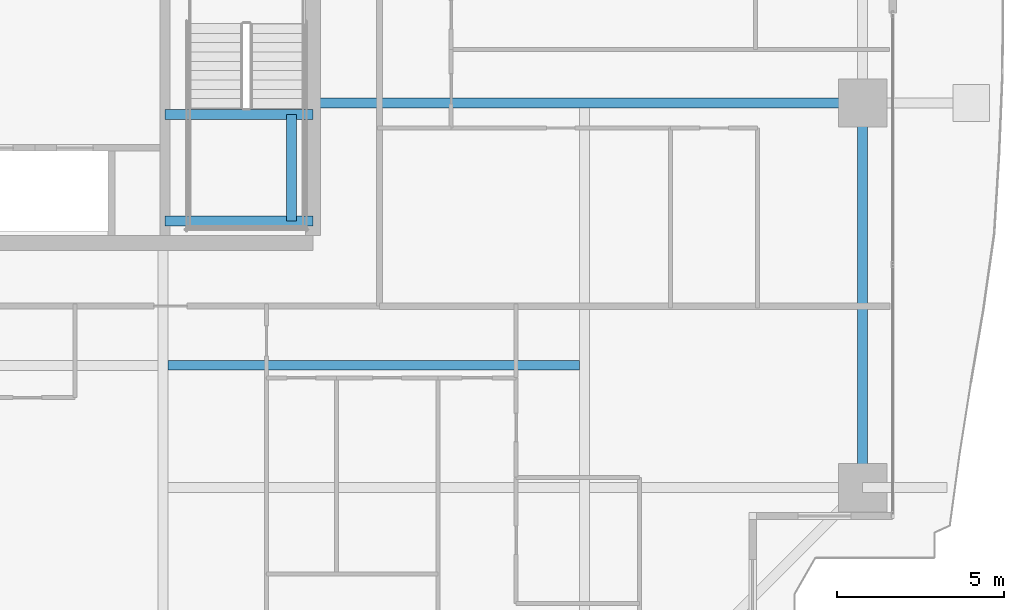
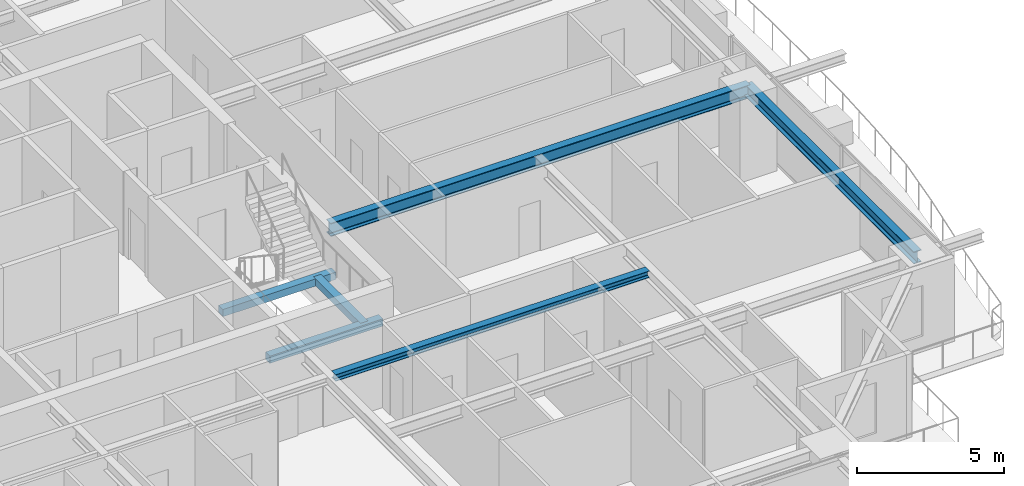
# One storey, part 14 of 39: 6 beams.
"""IFC4 building model written with IfcOpenShell, lengths in metres."""

from ifc_helpers import new_model, si_unit, direction, frame, origin, origin_2d, place, context, subcontext, project, spatial, rectangle, i_section, extrude, source, transform, mapped, material, material_profile, profile_set, type_object, element, save


model = new_model("IFC4")

# Units and contexts
model_context = context("Model", 3, precision=1e-05, world=origin(), true_north=direction((0.0, 1.0)))
body_context = subcontext(model_context, "Body", "Model", "MODEL_VIEW")
ifc_project = project(units=[si_unit("LENGTHUNIT", "METRE"), si_unit("AREAUNIT", "SQUARE_METRE"), si_unit("VOLUMEUNIT", "CUBIC_METRE"), si_unit("PLANEANGLEUNIT", "RADIAN"), si_unit("MASSUNIT", "GRAM", prefix="KILO")], contexts=[model_context])

# Site, building, storey
site_placement = place(None, origin())
site = spatial("IfcSite", under=ifc_project, at=site_placement, CompositionType="ELEMENT")
building_placement = place(site_placement, origin())
building = spatial("IfcBuilding", under=site, at=building_placement, Name="Serunith Strait Residences", CompositionType="ELEMENT")
storey_placement = place(building_placement, frame((0.0, 0.0, 49.199951171875)))
storey = spatial("IfcBuildingStorey", under=building, at=storey_placement, Name="L11", CompositionType="ELEMENT", Elevation=49.199951171875)

# Beams
ifc_material_1 = material(Name="Steel S355J2", Category="steel")
ifc_material_profile_1 = material_profile(ifc_material_1, i_section(OverallWidth=0.300048828125, OverallDepth=0.550048828125, WebThickness=0.014892578125, FlangeThickness=0.029052734375, FilletRadius=0.027099609375, at=origin_2d()), Name="HEB 550")
ifc_profile_set_1 = profile_set([ifc_material_profile_1], Name="Steel S355J2")
beam_type_1 = type_object("IfcBeamType", Name="BM-HEB550", PredefinedType="BEAM", material=ifc_profile_set_1)
shared_shape_1 = source(origin(), body_context, "Body", "SweptSolid", [
    extrude(i_section(OverallWidth=0.300048828125, OverallDepth=0.550048828125, WebThickness=0.014892578125, FlangeThickness=0.029052734375, FilletRadius=0.027099609375, at=origin_2d()), origin(), (0.0, 0.0, 1.0), 16.5),
])
beam_1_placement = place(storey_placement, frame((41.39990234375, 21.0, 3.212158203125), z_axis=(1.0, 0.0, 0.0), x_axis=(0.0, 1.0, 0.0)))
element("IfcBeam", 1, at=beam_1_placement, inside=storey, type_object=beam_type_1, Name="L11 Primary Floor Girder TC-E2", PredefinedType="BEAM", context=body_context, shape_type="MappedRepresentation", body=[
    mapped(shared_shape_1, transform((0.0, 0.0, 0.0), scale=1.0)),
])
ifc_material_profile_2 = material_profile(ifc_material_1, i_section(OverallWidth=0.300048828125, OverallDepth=0.5, WebThickness=0.014404296875, FlangeThickness=0.028076171875, FilletRadius=0.027099609375, at=origin_2d()), Name="HEB 500")
ifc_profile_set_2 = profile_set([ifc_material_profile_2], Name="Steel S355J2")
beam_type_2 = type_object("IfcBeamType", Name="BM-HEB500", PredefinedType="BEAM", material=ifc_profile_set_2)
shared_shape_2 = source(origin(), body_context, "Body", "SweptSolid", [
    extrude(i_section(OverallWidth=0.300048828125, OverallDepth=0.5, WebThickness=0.014404296875, FlangeThickness=0.028076171875, FilletRadius=0.027099609375, at=origin_2d()), origin(), (0.0, 0.0, 1.0), 11.550048828125),
])
beam_2_placement = place(storey_placement, frame((57.89990234375, 9.449951171875, 3.237060546875), z_axis=(0.0, 1.0, 0.0), x_axis=(-1.0, 0.0, 0.0)))
element("IfcBeam", 2, at=beam_2_placement, inside=storey, type_object=beam_type_2, Name="L11 Perimeter Ring Beam 05", PredefinedType="BEAM", context=body_context, shape_type="MappedRepresentation", body=[
    mapped(shared_shape_2, transform((0.0, 0.0, 0.0), scale=1.0)),
])
ifc_material_profile_3 = material_profile(ifc_material_1, i_section(OverallWidth=0.280029296875, OverallDepth=0.280029296875, WebThickness=0.010498046875, FlangeThickness=0.01806640625, FilletRadius=0.02392578125, at=origin_2d()), Name="HEB 280")
ifc_profile_set_3 = profile_set([ifc_material_profile_3], Name="Steel S355J2")
beam_type_3 = type_object("IfcBeamType", Name="BM-HEB280", PredefinedType="JOIST", material=ifc_profile_set_3)
shared_shape_3 = source(origin(), body_context, "Body", "SweptSolid", [
    extrude(i_section(OverallWidth=0.280029296875, OverallDepth=0.280029296875, WebThickness=0.010498046875, FlangeThickness=0.01806640625, FilletRadius=0.02392578125, at=origin_2d()), origin(), (0.0, 0.0, 1.0), 12.349853515625),
])
beam_3_placement = place(storey_placement, frame((37.050048828125, 13.125, 3.34716796875), z_axis=(1.0, 0.0, 0.0), x_axis=(0.0, 1.0, 0.0)))
element("IfcBeam", 3, at=beam_3_placement, inside=storey, type_object=beam_type_3, Name="L11 Composite Floor Joist 03", PredefinedType="JOIST", context=body_context, shape_type="MappedRepresentation", body=[
    mapped(shared_shape_3, transform((0.0, 0.0, 0.0), scale=1.0)),
])
ifc_material_2 = material(Name="Concrete C60/75", Category="concrete")
ifc_material_profile_4 = material_profile(ifc_material_2, rectangle(XDim=0.300048828125, YDim=0.300048828125, at=origin_2d()), Name="RC 300x300")
ifc_profile_set_4 = profile_set([ifc_material_profile_4], Name="Concrete C60/75")
beam_type_4 = type_object("IfcBeamType", Name="BM-LAND-300x300", PredefinedType="BEAM", material=ifc_profile_set_4)
shared_shape_4 = source(origin(), body_context, "Body", "SweptSolid", [
    extrude(rectangle(XDim=0.300048828125, YDim=0.300048828125, at=origin_2d()), origin(), (0.0, 0.0, 1.0), 3.199951171875),
])
beam_4_placement = place(storey_placement, frame((40.75, 17.449951171875, 1.525146484375), z_axis=(0.0, 1.0, 0.0), x_axis=(-1.0, 0.0, 0.0)))
element("IfcBeam", 4, at=beam_4_placement, inside=storey, type_object=beam_type_4, Name="L11 ST-2 Landing Transverse Tie Beam", PredefinedType="BEAM", context=body_context, shape_type="MappedRepresentation", body=[
    mapped(shared_shape_4, transform((0.0, 0.0, 0.0), scale=1.0)),
])
shared_shape_5 = source(origin(), body_context, "Body", "SweptSolid", [
    extrude(rectangle(XDim=0.300048828125, YDim=0.300048828125, at=origin_2d()), origin(), (0.0, 0.0, 1.0), 4.449951171875),
])
for number, where, z_axis, x_axis, name in (
    (5, (36.949951171875, 17.449951171875, 1.525146484375), (1.0, 0.0, 0.0), (0.0, 1.0, 0.0), "L11 ST-2 Landing Support Beam 1"),
    (6, (36.949951171875, 20.64990234375, 1.525146484375), (1.0, 0.0, 0.0), (0.0, 1.0, 0.0), "L11 ST-2 Landing Support Beam 2"),
):
    element("IfcBeam", number, at=place(storey_placement, frame(where, z_axis=z_axis, x_axis=x_axis)), inside=storey, type_object=beam_type_4, Name=name, PredefinedType="BEAM", context=body_context, shape_type="MappedRepresentation", body=[
        mapped(shared_shape_5, transform((0.0, 0.0, 0.0), scale=1.0)),
    ])

save(model, "model.ifc")
